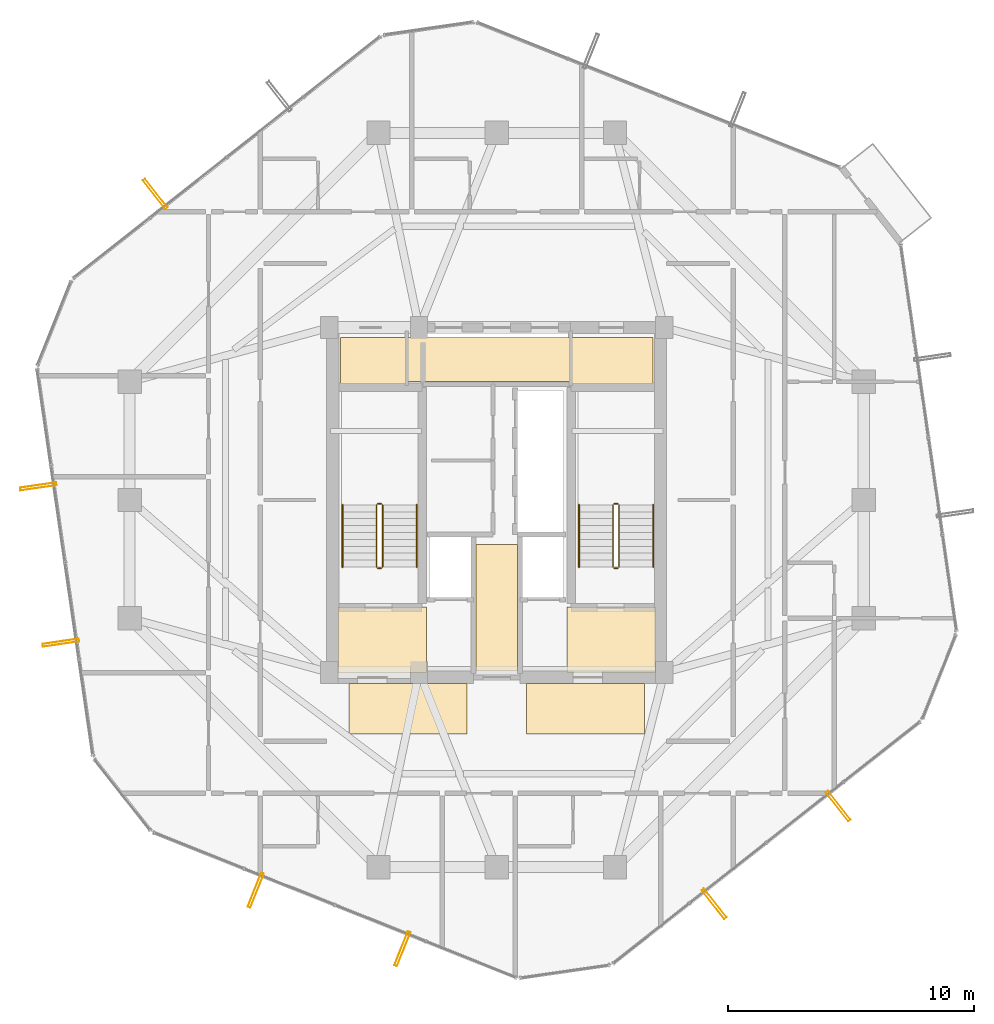
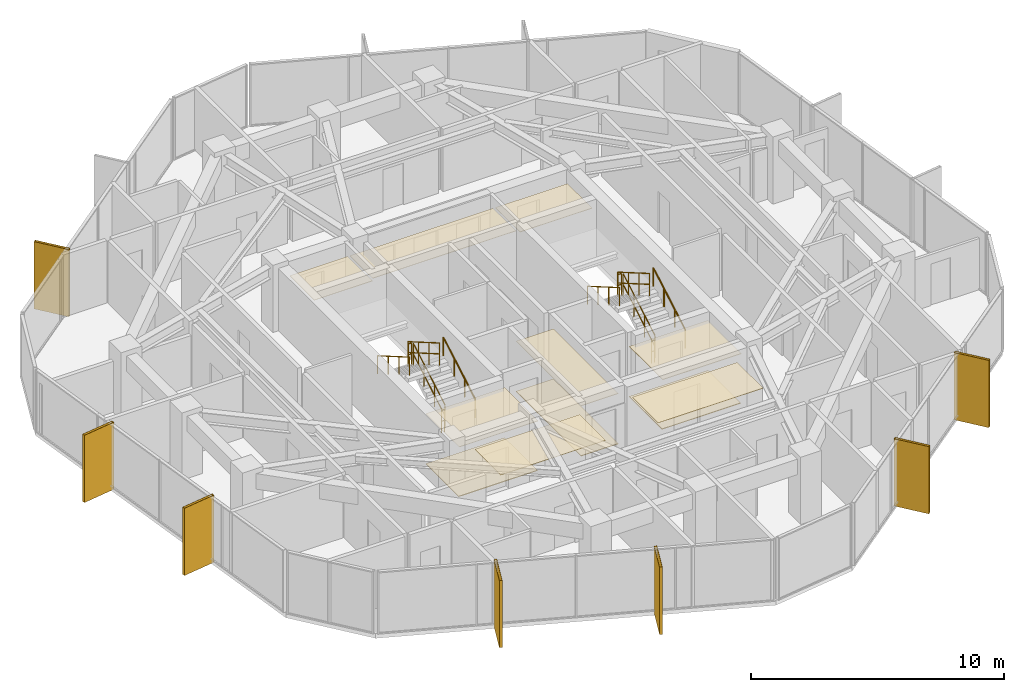
# One storey, part 30 of 31: 12 railings, 11 coverings, 7 shading devices.
"""IFC4 building model written with IfcOpenShell, lengths in metres."""

from ifc_helpers import new_model, si_unit, direction, frame, origin, origin_2d, place, context, subcontext, project, spatial, polyline, hollow_rectangle, circle, outline, extrude, material, layer, layer_set, material_profile, profile_set, type_object, element, save


model = new_model("IFC4")

# Units and contexts
model_context = context("Model", 3, precision=1e-05, world=origin(), true_north=direction((0.0, 1.0)))
body_context = subcontext(model_context, "Body", "Model", "MODEL_VIEW")
ifc_project = project(units=[si_unit("LENGTHUNIT", "METRE"), si_unit("AREAUNIT", "SQUARE_METRE"), si_unit("VOLUMEUNIT", "CUBIC_METRE"), si_unit("PLANEANGLEUNIT", "RADIAN"), si_unit("MASSUNIT", "GRAM", prefix="KILO")], contexts=[model_context])

# Site, building, storey
site_placement = place(None, origin())
site = spatial("IfcSite", under=ifc_project, at=site_placement, CompositionType="ELEMENT")
building_placement = place(site_placement, origin())
building = spatial("IfcBuilding", under=site, at=building_placement, Name="Veraguas Prism Commons", CompositionType="ELEMENT")
storey_placement = place(building_placement, frame((0.0, 0.0, 178.85009765625)))
storey = spatial("IfcBuildingStorey", under=building, at=storey_placement, Name="L50", CompositionType="ELEMENT", Elevation=178.85009765625)

# Shading devices
ifc_material_1 = material(Name="Anodised aluminium EN AW-6063 T6", Category="aluminium")
ifc_material_profile = material_profile(ifc_material_1, hollow_rectangle(XDim=0.1201171875, YDim=1.489990234375, WallThickness=0.006103515625, at=origin_2d()), Name="FIN120X1490X6")
ifc_profile_set = profile_set([ifc_material_profile], Name="Anodised aluminium EN AW-6063 T6")
shading_device_type = type_object("IfcShadingDeviceType", Name="Deep Pale-Metal Vertical Solar Fin 120x1490", PredefinedType="USERDEFINED", material=ifc_profile_set)
for number, where, z_axis, x_axis, name in (
    (1, (10.138671875, 36.42236328125, -0.215087890625), (0.0, 0.0, 1.0), (-0.78564098005, -0.618682673481, 0.0), "Vertical Pale-Metal Solar Fin L50-F2B"),
    (2, (5.39501953125, 24.550048828125, -0.215087890625), (0.0, 0.0, 1.0), (0.142974422091, -0.989726383718, 0.0), "Vertical Pale-Metal Solar Fin L50-F3A"),
    (3, (6.311279296875, 18.20703125, -0.215087890625), (0.0, 0.0, 1.0), (0.142974422091, -0.989726383718, 0.0), "Vertical Pale-Metal Solar Fin L50-F3B"),
    (4, (14.22119140625, 8.16259765625, -0.215087890625), (0.0, 0.0, 1.0), (0.928616049733, -0.371042089497, 0.0), "Vertical Pale-Metal Solar Fin L50-F4A"),
    (5, (20.172607421875, 5.78466796875, -0.215087890625), (0.0, 0.0, 1.0), (0.928616049733, -0.371042089497, 0.0), "Vertical Pale-Metal Solar Fin L50-F4B"),
    (6, (32.826171875, 7.612548828125, -0.215087890625), (0.0, 0.0, 1.0), (0.78564098005, 0.618682673481, 0.0), "Vertical Pale-Metal Solar Fin L50-F5A"),
    (7, (37.861328125, 11.57763671875, -0.215087890625), (0.0, 0.0, 1.0), (0.78564098005, 0.618682673481, 0.0), "Vertical Pale-Metal Solar Fin L50-F5B"),
):
    element("IfcShadingDevice", number, at=place(storey_placement, frame(where, z_axis=z_axis, x_axis=x_axis)), inside=storey, type_object=shading_device_type, Name=name, ObjectType="FIN", PredefinedType="USERDEFINED", context=body_context, shape_type="SweptSolid", body=[
        extrude(hollow_rectangle(XDim=0.1201171875, YDim=1.489990234375, WallThickness=0.006103515625, at=origin_2d()), origin(), (0.0, 0.0, 1.0), 3.25),
    ])

# Coverings
ifc_material_2 = material(Name="Acoustic gypsum board")
ifc_layer_1 = layer(ifc_material_2, 0.02490234375, Name="Perforated Acoustic Ceiling Tile 25")
ifc_layer_set_1 = layer_set([ifc_layer_1], Name="Acoustic gypsum board")
covering_type_1 = type_object("IfcCoveringType", Name="Perforated Acoustic Ceiling Tile 25", PredefinedType="USERDEFINED", material=ifc_layer_set_1)
covering_1_placement = place(storey_placement, frame((0.0, 0.0, 2.4248046875)))
element("IfcCovering", 8, at=covering_1_placement, inside=storey, type_object=covering_type_1, Name="East Lobby Acoustic Ceiling L50", ObjectType="ACOUSTIC CEILING", PredefinedType="USERDEFINED", context=body_context, shape_type="SweptSolid", body=[
    extrude(outline(polyline([(26.85009765625, 17.0), (30.449951171875, 17.0), (30.449951171875, 19.64990234375), (26.85009765625, 19.64990234375), (26.85009765625, 17.0)])), origin(), (0.0, 0.0, 1.0), 0.025146484375),
])
ifc_material_3 = material(Name="Terrazzo stone finish", Category="masonry")
ifc_layer_2 = layer(ifc_material_3, 0.030029296875, Name="Polished Terrazzo Floor Finish 30", Category="masonry")
ifc_layer_set_2 = layer_set([ifc_layer_2], Name="Terrazzo stone finish")
covering_type_2 = type_object("IfcCoveringType", Name="Polished Terrazzo Floor Finish 30", PredefinedType="FLOORING", material=ifc_layer_set_2)
covering_2_placement = place(storey_placement, origin())
element("IfcCovering", 9, at=covering_2_placement, inside=storey, type_object=covering_type_2, Name="Terrazzo Lobby Flooring L50", PredefinedType="FLOORING", context=body_context, shape_type="SweptSolid", body=[
    extrude(outline(polyline([(23.14990234375, 17.050048828125), (24.85009765625, 17.050048828125), (24.85009765625, 22.199951171875), (23.14990234375, 22.199951171875), (23.14990234375, 17.050048828125)])), origin(), (0.0, 0.0, 1.0), 0.02978515625),
])
covering_3_placement = place(storey_placement, origin())
element("IfcCovering", 10, at=covering_3_placement, inside=storey, type_object=covering_type_2, Name="West FF Lobby Terrazzo Flooring L50", PredefinedType="FLOORING", context=body_context, shape_type="SweptSolid", body=[
    extrude(outline(polyline([(17.550048828125, 17.050048828125), (21.14990234375, 17.050048828125), (21.14990234375, 19.64990234375), (17.550048828125, 19.64990234375), (17.550048828125, 17.050048828125)])), origin(), (0.0, 0.0, 1.0), 0.02978515625),
])
covering_4_placement = place(storey_placement, origin())
element("IfcCovering", 11, at=covering_4_placement, inside=storey, type_object=covering_type_2, Name="East FF Lobby Terrazzo Flooring L50", PredefinedType="FLOORING", context=body_context, shape_type="SweptSolid", body=[
    extrude(outline(polyline([(26.85009765625, 17.050048828125), (30.449951171875, 17.050048828125), (30.449951171875, 19.64990234375), (26.85009765625, 19.64990234375), (26.85009765625, 17.050048828125)])), origin(), (0.0, 0.0, 1.0), 0.02978515625),
])

# Railings
ifc_material_4 = material(Name="Stainless steel AISI 316", Category="steel")
railing_type_1 = type_object("IfcRailingType", Name="Stair and Ramp Stainless Handrail 900", PredefinedType="HANDRAIL", material=ifc_material_4)
railing_1_placement = place(storey_placement, frame((20.75, 21.280029296875, 0.162353515625)))
element("IfcRailing", 12, at=railing_1_placement, inside=storey, type_object=railing_type_1, Name="Stair Handrail ST-01 L50-1", PredefinedType="HANDRAIL", context=body_context, shape_type="SweptSolid", body=[
    extrude(circle(Radius=0.02392578125, at=origin_2d()), frame((0.0, 0.0, 0.8759765625), z_axis=(0.0, 0.864876961378, 0.501983905795), x_axis=(-1.0, 0.0, 0.0)), (0.0, 0.0, 1.0), 2.913818359375),
    extrude(circle(Radius=0.02099609375, at=origin_2d()), origin(), (0.0, 0.0, 1.0), 0.851806640625),
    extrude(circle(Radius=0.02099609375, at=origin_2d()), frame((0.0, 0.840087890625, 0.487548828125)), (0.0, 0.0, 1.0), 0.851806640625),
    extrude(circle(Radius=0.02099609375, at=origin_2d()), frame((0.0, 1.679931640625, 0.97509765625)), (0.0, 0.0, 1.0), 0.851806640625),
    extrude(circle(Radius=0.02099609375, at=origin_2d()), frame((0.0, 2.52001953125, 1.462646484375)), (0.0, 0.0, 1.0), 0.851806640625),
])
railing_2_placement = place(storey_placement, frame((17.739990234375, 23.800048828125, 1.787353515625)))
element("IfcRailing", 13, at=railing_2_placement, inside=storey, type_object=railing_type_1, Name="Stair Handrail ST-01 L50-2", PredefinedType="HANDRAIL", context=body_context, shape_type="SweptSolid", body=[
    extrude(circle(Radius=0.02392578125, at=origin_2d()), frame((0.0, 0.0, 0.8759765625), z_axis=(0.0, -0.864876961378, 0.501983905795), x_axis=(1.0, 0.0, 0.0)), (0.0, 0.0, 1.0), 2.913818359375),
    extrude(circle(Radius=0.02099609375, at=origin_2d()), origin(), (0.0, 0.0, 1.0), 0.851806640625),
    extrude(circle(Radius=0.02099609375, at=origin_2d()), frame((0.0, -0.840087890625, 0.487548828125)), (0.0, 0.0, 1.0), 0.851806640625),
    extrude(circle(Radius=0.02099609375, at=origin_2d()), frame((0.0, -1.679931640625, 0.97509765625)), (0.0, 0.0, 1.0), 0.851806640625),
    extrude(circle(Radius=0.02099609375, at=origin_2d()), frame((0.0, -2.52001953125, 1.462646484375)), (0.0, 0.0, 1.0), 0.851806640625),
])
railing_3_placement = place(storey_placement, frame((30.35009765625, 21.280029296875, 0.162353515625)))
element("IfcRailing", 14, at=railing_3_placement, inside=storey, type_object=railing_type_1, Name="Stair Handrail ST-02 L50-1", PredefinedType="HANDRAIL", context=body_context, shape_type="SweptSolid", body=[
    extrude(circle(Radius=0.02392578125, at=origin_2d()), frame((0.0, 0.0, 0.8759765625), z_axis=(0.0, 0.864876961378, 0.501983905795), x_axis=(-1.0, 0.0, 0.0)), (0.0, 0.0, 1.0), 2.913818359375),
    extrude(circle(Radius=0.02099609375, at=origin_2d()), origin(), (0.0, 0.0, 1.0), 0.851806640625),
    extrude(circle(Radius=0.02099609375, at=origin_2d()), frame((0.0, 0.840087890625, 0.487548828125)), (0.0, 0.0, 1.0), 0.851806640625),
    extrude(circle(Radius=0.02099609375, at=origin_2d()), frame((0.0, 1.679931640625, 0.97509765625)), (0.0, 0.0, 1.0), 0.851806640625),
    extrude(circle(Radius=0.02099609375, at=origin_2d()), frame((0.0, 2.52001953125, 1.462646484375)), (0.0, 0.0, 1.0), 0.851806640625),
])
railing_4_placement = place(storey_placement, frame((27.340087890625, 23.800048828125, 1.787353515625)))
element("IfcRailing", 15, at=railing_4_placement, inside=storey, type_object=railing_type_1, Name="Stair Handrail ST-02 L50-2", PredefinedType="HANDRAIL", context=body_context, shape_type="SweptSolid", body=[
    extrude(circle(Radius=0.02392578125, at=origin_2d()), frame((0.0, 0.0, 0.8759765625), z_axis=(0.0, -0.864876961378, 0.501983905795), x_axis=(1.0, 0.0, 0.0)), (0.0, 0.0, 1.0), 2.913818359375),
    extrude(circle(Radius=0.02099609375, at=origin_2d()), origin(), (0.0, 0.0, 1.0), 0.851806640625),
    extrude(circle(Radius=0.02099609375, at=origin_2d()), frame((0.0, -0.840087890625, 0.487548828125)), (0.0, 0.0, 1.0), 0.851806640625),
    extrude(circle(Radius=0.02099609375, at=origin_2d()), frame((0.0, -1.679931640625, 0.97509765625)), (0.0, 0.0, 1.0), 0.851806640625),
    extrude(circle(Radius=0.02099609375, at=origin_2d()), frame((0.0, -2.52001953125, 1.462646484375)), (0.0, 0.0, 1.0), 0.851806640625),
])
railing_type_2 = type_object("IfcRailingType", Name="Stairwell Safety Guardrail 1100", PredefinedType="GUARDRAIL", material=ifc_material_4)
railing_5_placement = place(storey_placement, frame((19.3701171875, 21.280029296875, 0.162353515625)))
element("IfcRailing", 16, at=railing_5_placement, inside=storey, type_object=railing_type_2, Name="Stair Guard ST-01 L50-1", PredefinedType="GUARDRAIL", context=body_context, shape_type="SweptSolid", body=[
    extrude(circle(Radius=0.02392578125, at=origin_2d()), frame((0.0, 0.0, 1.076171875), z_axis=(0.0, 0.864876961378, 0.501983905795), x_axis=(-1.0, 0.0, 0.0)), (0.0, 0.0, 1.0), 2.913818359375),
    extrude(circle(Radius=0.02392578125, at=origin_2d()), frame((0.0, 0.0, 0.550048828125), z_axis=(0.0, 0.864876961378, 0.501983905795), x_axis=(-1.0, 0.0, 0.0)), (0.0, 0.0, 1.0), 2.913818359375),
    extrude(circle(Radius=0.02099609375, at=origin_2d()), origin(), (0.0, 0.0, 1.0), 1.052001953125),
    extrude(circle(Radius=0.02099609375, at=origin_2d()), frame((0.0, 0.840087890625, 0.487548828125)), (0.0, 0.0, 1.0), 1.052001953125),
    extrude(circle(Radius=0.02099609375, at=origin_2d()), frame((0.0, 1.679931640625, 0.97509765625)), (0.0, 0.0, 1.0), 1.052001953125),
    extrude(circle(Radius=0.02099609375, at=origin_2d()), frame((0.0, 2.52001953125, 1.462646484375)), (0.0, 0.0, 1.0), 1.052001953125),
])
railing_6_placement = place(storey_placement, frame((19.320068359375, 23.85009765625, 1.625)))
element("IfcRailing", 17, at=railing_6_placement, inside=storey, type_object=railing_type_2, Name="Stair Guard ST-01 L50-2", PredefinedType="GUARDRAIL", context=body_context, shape_type="SweptSolid", body=[
    extrude(circle(Radius=0.02392578125, at=origin_2d()), frame((0.0, 0.0, 1.076171875), z_axis=(-1.0, 0.0, 0.0), x_axis=(0.0, -1.0, 0.0)), (0.0, 0.0, 1.0), 0.150146484375),
    extrude(circle(Radius=0.02392578125, at=origin_2d()), frame((0.0, 0.0, 0.550048828125), z_axis=(-1.0, 0.0, 0.0), x_axis=(0.0, -1.0, 0.0)), (0.0, 0.0, 1.0), 0.150146484375),
    extrude(circle(Radius=0.02099609375, at=origin_2d()), origin(), (0.0, 0.0, 1.0), 1.052001953125),
    extrude(circle(Radius=0.02099609375, at=origin_2d()), frame((-0.150146484375, 0.0, 0.0)), (0.0, 0.0, 1.0), 1.052001953125),
])
railing_7_placement = place(storey_placement, frame((19.1201171875, 23.800048828125, 1.787353515625)))
element("IfcRailing", 18, at=railing_7_placement, inside=storey, type_object=railing_type_2, Name="Stair Guard ST-01 L50-3", PredefinedType="GUARDRAIL", context=body_context, shape_type="SweptSolid", body=[
    extrude(circle(Radius=0.02392578125, at=origin_2d()), frame((0.0, 0.0, 1.076171875), z_axis=(0.0, -0.864876961378, 0.501983905795), x_axis=(1.0, 0.0, 0.0)), (0.0, 0.0, 1.0), 2.913818359375),
    extrude(circle(Radius=0.02392578125, at=origin_2d()), frame((0.0, 0.0, 0.550048828125), z_axis=(0.0, -0.864876961378, 0.501983905795), x_axis=(1.0, 0.0, 0.0)), (0.0, 0.0, 1.0), 2.913818359375),
    extrude(circle(Radius=0.02099609375, at=origin_2d()), origin(), (0.0, 0.0, 1.0), 1.052001953125),
    extrude(circle(Radius=0.02099609375, at=origin_2d()), frame((0.0, -0.840087890625, 0.487548828125)), (0.0, 0.0, 1.0), 1.052001953125),
    extrude(circle(Radius=0.02099609375, at=origin_2d()), frame((0.0, -1.679931640625, 0.97509765625)), (0.0, 0.0, 1.0), 1.052001953125),
    extrude(circle(Radius=0.02099609375, at=origin_2d()), frame((0.0, -2.52001953125, 1.462646484375)), (0.0, 0.0, 1.0), 1.052001953125),
])
railing_8_placement = place(storey_placement, frame((19.320068359375, 21.22998046875, 0.0)))
element("IfcRailing", 19, at=railing_8_placement, inside=storey, type_object=railing_type_2, Name="Stair Guard ST-01 L50-4", PredefinedType="GUARDRAIL", context=body_context, shape_type="SweptSolid", body=[
    extrude(circle(Radius=0.02392578125, at=origin_2d()), frame((0.0, 0.0, 1.076171875), z_axis=(-1.0, 0.0, 0.0), x_axis=(0.0, -1.0, 0.0)), (0.0, 0.0, 1.0), 0.150146484375),
    extrude(circle(Radius=0.02392578125, at=origin_2d()), frame((0.0, 0.0, 0.550048828125), z_axis=(-1.0, 0.0, 0.0), x_axis=(0.0, -1.0, 0.0)), (0.0, 0.0, 1.0), 0.150146484375),
    extrude(circle(Radius=0.02099609375, at=origin_2d()), origin(), (0.0, 0.0, 1.0), 1.052001953125),
    extrude(circle(Radius=0.02099609375, at=origin_2d()), frame((-0.150146484375, 0.0, 0.0)), (0.0, 0.0, 1.0), 1.052001953125),
])
railing_9_placement = place(storey_placement, frame((28.969970703125, 21.280029296875, 0.162353515625)))
element("IfcRailing", 20, at=railing_9_placement, inside=storey, type_object=railing_type_2, Name="Stair Guard ST-02 L50-1", PredefinedType="GUARDRAIL", context=body_context, shape_type="SweptSolid", body=[
    extrude(circle(Radius=0.02392578125, at=origin_2d()), frame((0.0, 0.0, 1.076171875), z_axis=(0.0, 0.864876961378, 0.501983905795), x_axis=(-1.0, 0.0, 0.0)), (0.0, 0.0, 1.0), 2.913818359375),
    extrude(circle(Radius=0.02392578125, at=origin_2d()), frame((0.0, 0.0, 0.550048828125), z_axis=(0.0, 0.864876961378, 0.501983905795), x_axis=(-1.0, 0.0, 0.0)), (0.0, 0.0, 1.0), 2.913818359375),
    extrude(circle(Radius=0.02099609375, at=origin_2d()), origin(), (0.0, 0.0, 1.0), 1.052001953125),
    extrude(circle(Radius=0.02099609375, at=origin_2d()), frame((0.0, 0.840087890625, 0.487548828125)), (0.0, 0.0, 1.0), 1.052001953125),
    extrude(circle(Radius=0.02099609375, at=origin_2d()), frame((0.0, 1.679931640625, 0.97509765625)), (0.0, 0.0, 1.0), 1.052001953125),
    extrude(circle(Radius=0.02099609375, at=origin_2d()), frame((0.0, 2.52001953125, 1.462646484375)), (0.0, 0.0, 1.0), 1.052001953125),
])
railing_10_placement = place(storey_placement, frame((28.919921875, 23.85009765625, 1.625)))
element("IfcRailing", 21, at=railing_10_placement, inside=storey, type_object=railing_type_2, Name="Stair Guard ST-02 L50-2", PredefinedType="GUARDRAIL", context=body_context, shape_type="SweptSolid", body=[
    extrude(circle(Radius=0.02392578125, at=origin_2d()), frame((0.0, 0.0, 1.076171875), z_axis=(-1.0, 0.0, 0.0), x_axis=(0.0, -1.0, 0.0)), (0.0, 0.0, 1.0), 0.14990234375),
    extrude(circle(Radius=0.02392578125, at=origin_2d()), frame((0.0, 0.0, 0.550048828125), z_axis=(-1.0, 0.0, 0.0), x_axis=(0.0, -1.0, 0.0)), (0.0, 0.0, 1.0), 0.14990234375),
    extrude(circle(Radius=0.02099609375, at=origin_2d()), origin(), (0.0, 0.0, 1.0), 1.052001953125),
    extrude(circle(Radius=0.02099609375, at=origin_2d()), frame((-0.14990234375, 0.0, 0.0)), (0.0, 0.0, 1.0), 1.052001953125),
])
railing_11_placement = place(storey_placement, frame((28.719970703125, 23.800048828125, 1.787353515625)))
element("IfcRailing", 22, at=railing_11_placement, inside=storey, type_object=railing_type_2, Name="Stair Guard ST-02 L50-3", PredefinedType="GUARDRAIL", context=body_context, shape_type="SweptSolid", body=[
    extrude(circle(Radius=0.02392578125, at=origin_2d()), frame((0.0, 0.0, 1.076171875), z_axis=(0.0, -0.864876961378, 0.501983905795), x_axis=(1.0, 0.0, 0.0)), (0.0, 0.0, 1.0), 2.913818359375),
    extrude(circle(Radius=0.02392578125, at=origin_2d()), frame((0.0, 0.0, 0.550048828125), z_axis=(0.0, -0.864876961378, 0.501983905795), x_axis=(1.0, 0.0, 0.0)), (0.0, 0.0, 1.0), 2.913818359375),
    extrude(circle(Radius=0.02099609375, at=origin_2d()), origin(), (0.0, 0.0, 1.0), 1.052001953125),
    extrude(circle(Radius=0.02099609375, at=origin_2d()), frame((0.0, -0.840087890625, 0.487548828125)), (0.0, 0.0, 1.0), 1.052001953125),
    extrude(circle(Radius=0.02099609375, at=origin_2d()), frame((0.0, -1.679931640625, 0.97509765625)), (0.0, 0.0, 1.0), 1.052001953125),
    extrude(circle(Radius=0.02099609375, at=origin_2d()), frame((0.0, -2.52001953125, 1.462646484375)), (0.0, 0.0, 1.0), 1.052001953125),
])
railing_12_placement = place(storey_placement, frame((28.919921875, 21.22998046875, 0.0)))
element("IfcRailing", 23, at=railing_12_placement, inside=storey, type_object=railing_type_2, Name="Stair Guard ST-02 L50-4", PredefinedType="GUARDRAIL", context=body_context, shape_type="SweptSolid", body=[
    extrude(circle(Radius=0.02392578125, at=origin_2d()), frame((0.0, 0.0, 1.076171875), z_axis=(-1.0, 0.0, 0.0), x_axis=(0.0, -1.0, 0.0)), (0.0, 0.0, 1.0), 0.14990234375),
    extrude(circle(Radius=0.02392578125, at=origin_2d()), frame((0.0, 0.0, 0.550048828125), z_axis=(-1.0, 0.0, 0.0), x_axis=(0.0, -1.0, 0.0)), (0.0, 0.0, 1.0), 0.14990234375),
    extrude(circle(Radius=0.02099609375, at=origin_2d()), origin(), (0.0, 0.0, 1.0), 1.052001953125),
    extrude(circle(Radius=0.02099609375, at=origin_2d()), frame((-0.14990234375, 0.0, 0.0)), (0.0, 0.0, 1.0), 1.052001953125),
])

# Coverings
ifc_layer_3 = layer(ifc_material_2, 0.02001953125, Name="Suspended Gypsum Ceiling 20")
ifc_layer_set_3 = layer_set([ifc_layer_3], Name="Acoustic gypsum board")
covering_type_3 = type_object("IfcCoveringType", Name="Suspended Gypsum Ceiling 20", PredefinedType="CEILING", material=ifc_layer_set_3)
covering_5_placement = place(storey_placement, frame((0.0, 0.0, 2.429931640625)))
element("IfcCovering", 24, at=covering_5_placement, inside=storey, type_object=covering_type_3, Name="West Lobby Suspended Gypsum Ceiling L50", PredefinedType="CEILING", context=body_context, shape_type="SweptSolid", body=[
    extrude(outline(polyline([(17.550048828125, 17.0), (21.14990234375, 17.0), (21.14990234375, 19.64990234375), (17.550048828125, 19.64990234375), (17.550048828125, 17.0)])), origin(), (0.0, 0.0, 1.0), 0.02001953125),
])
covering_6_placement = place(storey_placement, frame((0.0, 0.0, 2.429931640625)))
element("IfcCovering", 25, at=covering_6_placement, inside=storey, type_object=covering_type_3, Name="Core Lobby Acoustic Ceiling L50-1", PredefinedType="CEILING", context=body_context, shape_type="SweptSolid", body=[
    extrude(outline(polyline([(18.0, 14.5), (22.800048828125, 14.5), (22.800048828125, 16.550048828125), (18.0, 16.550048828125), (18.0, 14.5)])), origin(), (0.0, 0.0, 1.0), 0.02001953125),
])
covering_7_placement = place(storey_placement, frame((0.0, 0.0, 2.429931640625)))
element("IfcCovering", 26, at=covering_7_placement, inside=storey, type_object=covering_type_3, Name="Core Lobby Acoustic Ceiling L50-2", PredefinedType="CEILING", context=body_context, shape_type="SweptSolid", body=[
    extrude(outline(polyline([(25.199951171875, 14.5), (30.0, 14.5), (30.0, 16.550048828125), (25.199951171875, 16.550048828125), (25.199951171875, 14.5)])), origin(), (0.0, 0.0, 1.0), 0.02001953125),
])
covering_8_placement = place(storey_placement, frame((0.0, 0.0, 2.429931640625)))
element("IfcCovering", 27, at=covering_8_placement, inside=storey, type_object=covering_type_3, Name="Core Lobby Acoustic Ceiling L50-3", PredefinedType="CEILING", context=body_context, shape_type="SweptSolid", body=[
    extrude(outline(polyline([(23.14990234375, 17.050048828125), (24.85009765625, 17.050048828125), (24.85009765625, 22.199951171875), (23.14990234375, 22.199951171875), (23.14990234375, 17.050048828125)])), origin(), (0.0, 0.0, 1.0), 0.02001953125),
])
covering_9_placement = place(storey_placement, frame((0.0, 0.0, 2.429931640625)))
element("IfcCovering", 28, at=covering_9_placement, inside=storey, type_object=covering_type_3, Name="Core Lobby Acoustic Ceiling L50-4", PredefinedType="CEILING", context=body_context, shape_type="SweptSolid", body=[
    extrude(outline(polyline([(17.64990234375, 28.64990234375), (20.300048828125, 28.64990234375), (20.300048828125, 30.60009765625), (17.64990234375, 30.60009765625), (17.64990234375, 28.64990234375)])), origin(), (0.0, 0.0, 1.0), 0.02001953125),
])
covering_10_placement = place(storey_placement, frame((0.0, 0.0, 2.429931640625)))
element("IfcCovering", 29, at=covering_10_placement, inside=storey, type_object=covering_type_3, Name="Core Lobby Acoustic Ceiling L50-5", PredefinedType="CEILING", context=body_context, shape_type="SweptSolid", body=[
    extrude(outline(polyline([(27.050048828125, 28.64990234375), (30.35009765625, 28.64990234375), (30.35009765625, 30.60009765625), (27.050048828125, 30.60009765625), (27.050048828125, 28.64990234375)])), origin(), (0.0, 0.0, 1.0), 0.02001953125),
])
covering_11_placement = place(storey_placement, frame((0.0, 0.0, 2.429931640625)))
element("IfcCovering", 30, at=covering_11_placement, inside=storey, type_object=covering_type_3, Name="Core Lobby Acoustic Ceiling L50-6", PredefinedType="CEILING", context=body_context, shape_type="SweptSolid", body=[
    extrude(outline(polyline([(20.39990234375, 28.800048828125), (26.949951171875, 28.800048828125), (26.949951171875, 30.60009765625), (20.39990234375, 30.60009765625), (20.39990234375, 28.800048828125)])), origin(), (0.0, 0.0, 1.0), 0.02001953125),
])

save(model, "model.ifc")
